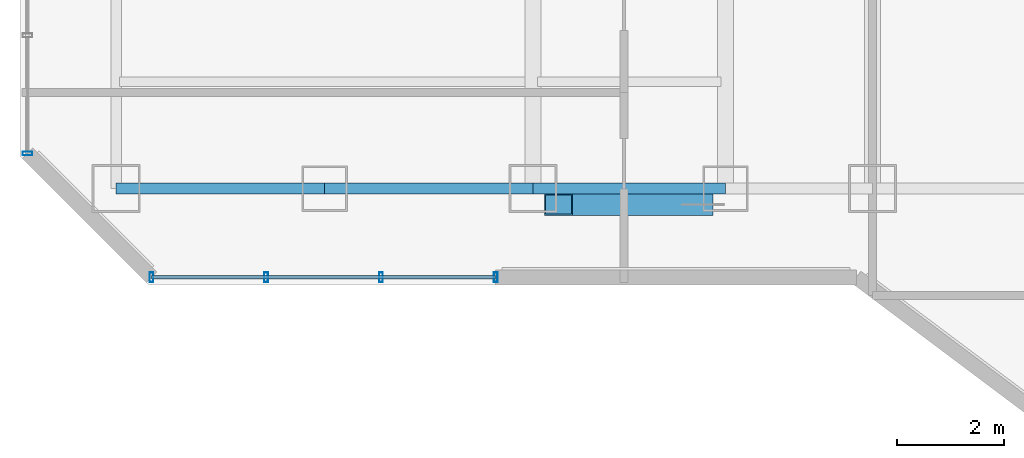
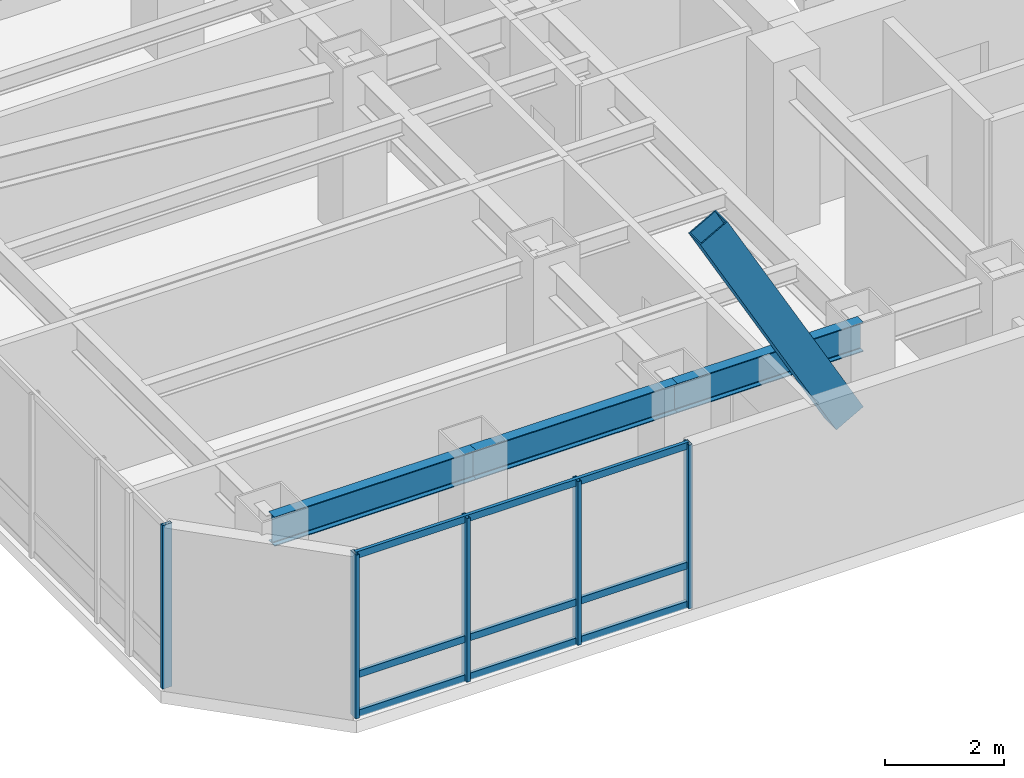
# One storey, part 2 of 31: 9 members, 3 beams, 2 elements without a shape of their own.
"""IFC4 building model written with IfcOpenShell, lengths in metres."""

from ifc_helpers import new_model, si_unit, direction, frame, origin, origin_2d, place, context, subcontext, project, spatial, hollow_rectangle, i_section, extrude, material, layer, layer_set, material_profile, profile_set, type_object, element, aggregate, save


model = new_model("IFC4")

# Units and contexts
model_context = context("Model", 3, precision=1e-05, world=origin(), true_north=direction((0.0, 1.0)))
body_context = subcontext(model_context, "Body", "Model", "MODEL_VIEW")
ifc_project = project(units=[si_unit("LENGTHUNIT", "METRE"), si_unit("AREAUNIT", "SQUARE_METRE"), si_unit("VOLUMEUNIT", "CUBIC_METRE"), si_unit("PLANEANGLEUNIT", "RADIAN"), si_unit("MASSUNIT", "GRAM", prefix="KILO")], contexts=[model_context])

# Site, building, storey
site_placement = place(None, origin())
site = spatial("IfcSite", under=ifc_project, at=site_placement, CompositionType="ELEMENT")
building_placement = place(site_placement, origin())
building = spatial("IfcBuilding", under=site, at=building_placement, Name="Hatsunagi Terrace Concourse", CompositionType="ELEMENT")
storey_placement = place(building_placement, frame((0.0, 0.0, 122.85009765625)))
storey = spatial("IfcBuildingStorey", under=building, at=storey_placement, Name="L32", CompositionType="ELEMENT", Elevation=122.85009765625)

# Curtain wall, members
ifc_material_1 = material(Name="Anodised Aluminium Alloy 6063-T5", Category="aluminium")
ifc_layer = layer(ifc_material_1, 0.199951171875)
ifc_layer_set = layer_set([ifc_layer], Name="OfficeZone1_CW03")
curtain_wall_type = type_object("IfcCurtainWallType", Name="OfficeZone1_CW03", PredefinedType="NOTDEFINED", material=ifc_layer_set)
curtain_wall_1_placement = place(storey_placement, origin())
curtain_wall_1 = element("IfcCurtainWall", 1, at=curtain_wall_1_placement, inside=storey, type_object=curtain_wall_type, Name="Unitised Curtain Wall CW-03 CW-L32-07", PredefinedType="NOTDEFINED")
ifc_material_2 = material(Name="Anodised Aluminium Alloy 6063-T5", Category="aluminium")
ifc_material_profile_1 = material_profile(ifc_material_2, hollow_rectangle(XDim=0.070068359375, YDim=0.179931640625, WallThickness=0.00390625, at=origin_2d()), Name="ALU-MUL-180x70x4")
ifc_profile_set_1 = profile_set([ifc_material_profile_1], Name="Anodised Aluminium Alloy 6063-T5")
member_type_1 = type_object("IfcMemberType", Name="CurtainWallMullion_180x70", PredefinedType="MULLION", material=ifc_profile_set_1)
member_1_placement = place(storey_placement, frame((18.5, 23.5400390625, 0.0), z_axis=(0.0, 0.0, 1.0), x_axis=(-1.0, 0.0, 0.0)))
member_1 = element("IfcMember", 2, at=member_1_placement, type_object=member_type_1, Name="Curtain Wall Mullion MUL-02", PredefinedType="MULLION", context=body_context, shape_type="SweptSolid", body=[
    extrude(hollow_rectangle(XDim=0.070068359375, YDim=0.179931640625, WallThickness=0.00390625, at=origin_2d()), origin(), (0.0, 0.0, 1.0), 3.349853515625),
])
member_2_placement = place(storey_placement, frame((16.35302734375, 23.5400390625, 0.0), z_axis=(0.0, 0.0, 1.0), x_axis=(-1.0, 0.0, 0.0)))
member_2 = element("IfcMember", 3, at=member_2_placement, type_object=member_type_1, Name="Curtain Wall Mullion MUL-02", PredefinedType="MULLION", context=body_context, shape_type="SweptSolid", body=[
    extrude(hollow_rectangle(XDim=0.070068359375, YDim=0.179931640625, WallThickness=0.00390625, at=origin_2d()), origin(), (0.0, 0.0, 1.0), 3.349853515625),
])
member_3_placement = place(storey_placement, frame((14.205078125, 23.5400390625, 0.0), z_axis=(0.0, 0.0, 1.0), x_axis=(-1.0, 0.0, 0.0)))
member_3 = element("IfcMember", 4, at=member_3_placement, type_object=member_type_1, Name="Curtain Wall Mullion MUL-02", PredefinedType="MULLION", context=body_context, shape_type="SweptSolid", body=[
    extrude(hollow_rectangle(XDim=0.070068359375, YDim=0.179931640625, WallThickness=0.00390625, at=origin_2d()), origin(), (0.0, 0.0, 1.0), 3.349853515625),
])
member_4_placement = place(storey_placement, frame((12.05810546875, 23.5400390625, 0.0), z_axis=(0.0, 0.0, 1.0), x_axis=(-1.0, 0.0, 0.0)))
member_4 = element("IfcMember", 5, at=member_4_placement, type_object=member_type_1, Name="Curtain Wall Mullion MUL-02", PredefinedType="MULLION", context=body_context, shape_type="SweptSolid", body=[
    extrude(hollow_rectangle(XDim=0.070068359375, YDim=0.179931640625, WallThickness=0.00390625, at=origin_2d()), origin(), (0.0, 0.0, 1.0), 3.349853515625),
])

# Curtain wall, member
curtain_wall_2_placement = place(storey_placement, origin())
curtain_wall_2 = element("IfcCurtainWall", 6, at=curtain_wall_2_placement, inside=storey, type_object=curtain_wall_type, Name="Unitised Curtain Wall CW-03 CW-L32-09", PredefinedType="NOTDEFINED")
member_5_placement = place(storey_placement, frame((9.739990234375, 25.85791015625, 0.0), z_axis=(0.0, 0.0, 1.0), x_axis=(0.0, 1.0, 0.0)))
member_5 = element("IfcMember", 7, at=member_5_placement, type_object=member_type_1, Name="Curtain Wall Mullion MUL-02", PredefinedType="MULLION", context=body_context, shape_type="SweptSolid", body=[
    extrude(hollow_rectangle(XDim=0.070068359375, YDim=0.179931640625, WallThickness=0.00390625, at=origin_2d()), origin(), (0.0, 0.0, 1.0), 3.349853515625),
])
aggregate(curtain_wall_2, [member_5])

# Member
ifc_material_3 = material(Name="Anodised Aluminium Alloy 6063-T5", Category="aluminium")
ifc_material_profile_2 = material_profile(ifc_material_3, hollow_rectangle(XDim=0.06494140625, YDim=0.139892578125, WallThickness=0.00390625, at=origin_2d()), Name="ALU-TRN-140x65x4")
ifc_profile_set_2 = profile_set([ifc_material_profile_2], Name="Anodised Aluminium Alloy 6063-T5")
member_type_2 = type_object("IfcMemberType", Name="CurtainWallTransom_140x65", PredefinedType="USERDEFINED", material=ifc_profile_set_2)
member_6_placement = place(storey_placement, frame((18.5, 23.5400390625, 0.0498046875), z_axis=(-1.0, 0.0, 0.0), x_axis=(0.0, -1.0, 0.0)))
member_6 = element("IfcMember", 8, at=member_6_placement, type_object=member_type_2, Name="Curtain Wall Transom TRN-02", ObjectType="TRANSOM", PredefinedType="USERDEFINED", context=body_context, shape_type="SweptSolid", body=[
    extrude(hollow_rectangle(XDim=0.06494140625, YDim=0.139892578125, WallThickness=0.00390625, at=origin_2d()), origin(), (0.0, 0.0, 1.0), 6.44189453125),
])

member_7_placement = place(storey_placement, frame((18.5, 23.5400390625, 0.849853515625), z_axis=(-1.0, 0.0, 0.0), x_axis=(0.0, -1.0, 0.0)))
member_7 = element("IfcMember", 9, at=member_7_placement, type_object=member_type_2, Name="Curtain Wall Transom TRN-02", ObjectType="TRANSOM", PredefinedType="USERDEFINED", context=body_context, shape_type="SweptSolid", body=[
    extrude(hollow_rectangle(XDim=0.06494140625, YDim=0.139892578125, WallThickness=0.00390625, at=origin_2d()), origin(), (0.0, 0.0, 1.0), 6.44189453125),
])

member_8_placement = place(storey_placement, frame((18.5, 23.5400390625, 3.2998046875), z_axis=(-1.0, 0.0, 0.0), x_axis=(0.0, -1.0, 0.0)))
member_8 = element("IfcMember", 10, at=member_8_placement, type_object=member_type_2, Name="Curtain Wall Transom TRN-02", ObjectType="TRANSOM", PredefinedType="USERDEFINED", context=body_context, shape_type="SweptSolid", body=[
    extrude(hollow_rectangle(XDim=0.06494140625, YDim=0.139892578125, WallThickness=0.00390625, at=origin_2d()), origin(), (0.0, 0.0, 1.0), 6.44189453125),
])

aggregate(curtain_wall_1, [member_1, member_2, member_3, member_4, member_6, member_7, member_8])

# Beams
ifc_material_4 = material(Name="Steel SN490B", Category="steel")
ifc_material_profile_3 = material_profile(ifc_material_4, i_section(OverallWidth=0.199951171875, OverallDepth=0.60009765625, WebThickness=0.010986328125, FlangeThickness=0.01708984375, FilletRadius=0.01806640625, at=origin_2d()), Name="H-600x200x11x17")
ifc_profile_set_3 = profile_set([ifc_material_profile_3], Name="Steel SN490B")
beam_type = type_object("IfcBeamType", Name="PerimeterSpandrel_H_600x200", PredefinedType="SPANDREL", material=ifc_profile_set_3)
beam_1_placement = place(storey_placement, frame((11.39990234375, 25.199951171875, 3.0498046875), z_axis=(1.0, 0.0, 0.0), x_axis=(0.0, 1.0, 0.0)))
element("IfcBeam", 11, at=beam_1_placement, inside=storey, type_object=beam_type, Name="Beam SP-01 BM-L32-WS-11", PredefinedType="SPANDREL", context=body_context, shape_type="SweptSolid", body=[
    extrude(i_section(OverallWidth=0.199951171875, OverallDepth=0.60009765625, WebThickness=0.010986328125, FlangeThickness=0.01708984375, FilletRadius=0.01806640625, at=origin_2d()), origin(), (0.0, 0.0, 1.0), 3.900146484375),
])
beam_2_placement = place(storey_placement, frame((15.300048828125, 25.199951171875, 3.0498046875), z_axis=(1.0, 0.0, 0.0), x_axis=(0.0, 1.0, 0.0)))
element("IfcBeam", 12, at=beam_2_placement, inside=storey, type_object=beam_type, Name="Beam SP-01 BM-L32-WS-15", PredefinedType="SPANDREL", context=body_context, shape_type="SweptSolid", body=[
    extrude(i_section(OverallWidth=0.199951171875, OverallDepth=0.60009765625, WebThickness=0.010986328125, FlangeThickness=0.01708984375, FilletRadius=0.01806640625, at=origin_2d()), origin(), (0.0, 0.0, 1.0), 3.89990234375),
])
beam_3_placement = place(storey_placement, frame((19.199951171875, 25.199951171875, 3.0498046875), z_axis=(1.0, 0.0, 0.0), x_axis=(0.0, 1.0, 0.0)))
element("IfcBeam", 13, at=beam_3_placement, inside=storey, type_object=beam_type, Name="Beam SP-01 BM-L32-WS-19", PredefinedType="SPANDREL", context=body_context, shape_type="SweptSolid", body=[
    extrude(i_section(OverallWidth=0.199951171875, OverallDepth=0.60009765625, WebThickness=0.010986328125, FlangeThickness=0.01708984375, FilletRadius=0.01806640625, at=origin_2d()), origin(), (0.0, 0.0, 1.0), 3.60009765625),
])

# Member
ifc_material_5 = material(Name="Steel SN490B", Category="steel")
ifc_material_profile_4 = material_profile(ifc_material_5, hollow_rectangle(XDim=0.39990234375, YDim=0.60009765625, WallThickness=0.02490234375, at=origin_2d()), Name="RHS-600x400x25")
ifc_profile_set_4 = profile_set([ifc_material_profile_4], Name="Steel SN490B")
member_type_3 = type_object("IfcMemberType", Name="PerimeterXBrace_Mid_RHS_600x400x25", PredefinedType="BRACE", material=ifc_profile_set_4)
member_9_placement = place(storey_placement, frame((19.675048828125, 24.89990234375, 6.510009765625), z_axis=(0.48754257962, 0.0, -0.873099211463), x_axis=(0.0, 1.0, 0.0)))
element("IfcMember", 14, at=member_9_placement, inside=storey, type_object=member_type_3, Name="Perimeter X-Brace Split Upper XB-02 XB-L31-W1B1", PredefinedType="BRACE", context=body_context, shape_type="SweptSolid", body=[
    extrude(hollow_rectangle(XDim=0.39990234375, YDim=0.60009765625, WallThickness=0.02490234375, at=origin_2d()), origin(), (0.0, 0.0, 1.0), 5.398193359375),
])

save(model, "model.ifc")
